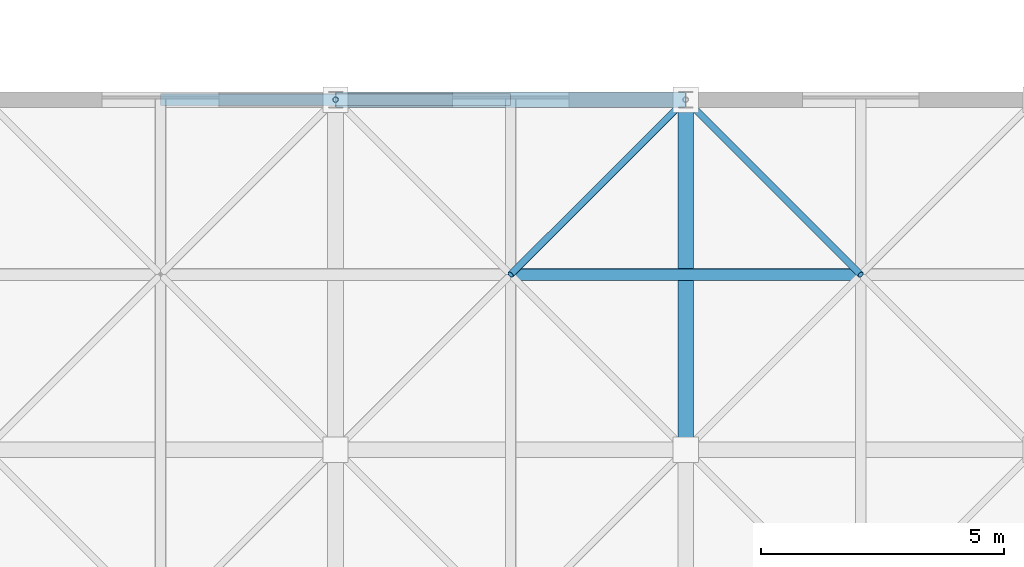
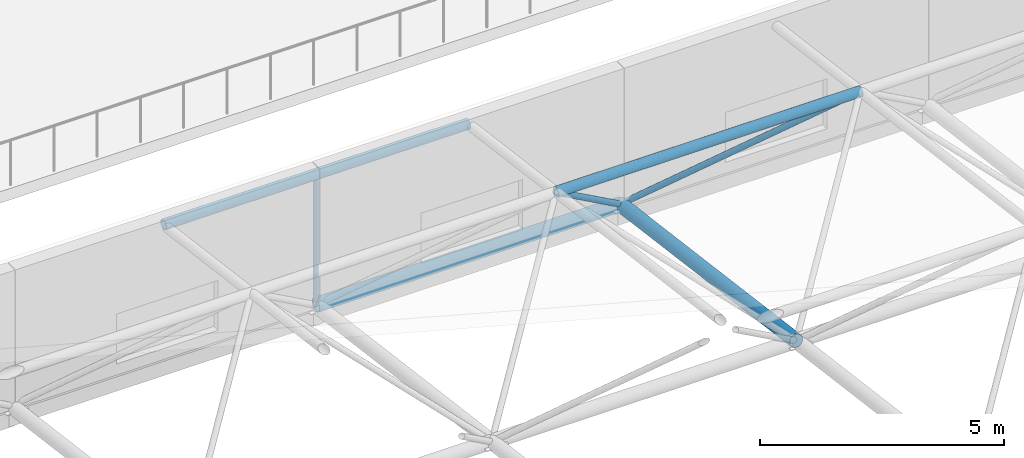
# One storey, part 58 of 103: 7 members.
"""IFC4 building model written with IfcOpenShell, lengths in metres."""

from ifc_helpers import new_model, si_unit, direction, frame, origin, origin_2d, place, context, subcontext, project, spatial, hollow_circle, extrude, material, material_profile, profile_set, type_object, element, save


model = new_model("IFC4")

# Units and contexts
model_context = context("Model", 3, precision=1e-05, world=origin(), true_north=direction((0.0, 1.0)))
body_context = subcontext(model_context, "Body", "Model", "MODEL_VIEW")
ifc_project = project(units=[si_unit("LENGTHUNIT", "METRE"), si_unit("AREAUNIT", "SQUARE_METRE"), si_unit("VOLUMEUNIT", "CUBIC_METRE"), si_unit("PLANEANGLEUNIT", "RADIAN"), si_unit("MASSUNIT", "GRAM", prefix="KILO")], contexts=[model_context])

# Site, building, storey
site_placement = place(None, origin())
site = spatial("IfcSite", under=ifc_project, at=site_placement, CompositionType="ELEMENT")
building_placement = place(site_placement, origin())
building = spatial("IfcBuilding", under=site, at=building_placement, Name="Thalmaran Polytechnic", CompositionType="ELEMENT")
storey_placement = place(building_placement, frame((0.0, 0.0, 14.39990234375)))
storey = spatial("IfcBuildingStorey", under=building, at=storey_placement, Name="L03", CompositionType="ELEMENT", Elevation=14.39990234375)

# Members
ifc_material = material(Name="Steel S355", Category="steel")
ifc_material_profile_1 = material_profile(ifc_material, hollow_circle(Radius=0.161865234375, WallThickness=0.012451171875, at=origin_2d()), Name="CHS 323.9x12.5")
ifc_profile_set_1 = profile_set([ifc_material_profile_1], Name="Steel S355")
member_type_1 = type_object("IfcMemberType", Name="MB-SFC0", PredefinedType="CHORD", material=ifc_profile_set_1)
member_1_placement = place(storey_placement, frame((136.800048828125, 50.39990234375, 0.380126953125), z_axis=(1.0, 0.0, 0.0), x_axis=(0.0, 1.0, 0.0)))
element("IfcMember", 1, at=member_1_placement, inside=storey, type_object=member_type_1, Name="Space-Frame Bottom Chord X (4,8)", PredefinedType="CHORD", context=body_context, shape_type="SweptSolid", body=[
    extrude(hollow_circle(Radius=0.161865234375, WallThickness=0.012451171875, at=origin_2d()), origin(), (0.0, 0.0, 1.0), 7.199951171875),
])
ifc_material_profile_2 = material_profile(ifc_material, hollow_circle(Radius=0.122314453125, WallThickness=0.010009765625, at=origin_2d()), Name="CHS 244.5x10.0")
ifc_profile_set_2 = profile_set([ifc_material_profile_2], Name="Steel S355")
member_type_2 = type_object("IfcMemberType", Name="MB-SFC1", PredefinedType="CHORD", material=ifc_profile_set_2)
member_2_placement = place(storey_placement, frame((133.199951171875, 50.39990234375, 3.650146484375), z_axis=(1.0, 0.0, 0.0), x_axis=(0.0, 1.0, 0.0)))
element("IfcMember", 2, at=member_2_placement, inside=storey, type_object=member_type_2, Name="Space-Frame Top Chord X (4,9)", PredefinedType="CHORD", context=body_context, shape_type="SweptSolid", body=[
    extrude(hollow_circle(Radius=0.122314453125, WallThickness=0.010009765625, at=origin_2d()), origin(), (0.0, 0.0, 1.0), 7.199951171875),
])
member_3_placement = place(storey_placement, frame((140.39990234375, 46.800048828125, 4.1240234375), z_axis=(1.0, 0.0, 0.0), x_axis=(0.0, 1.0, 0.0)))
element("IfcMember", 3, at=member_3_placement, inside=storey, type_object=member_type_2, Name="Space-Frame Top Chord X (5,8)", PredefinedType="CHORD", context=body_context, shape_type="SweptSolid", body=[
    extrude(hollow_circle(Radius=0.122314453125, WallThickness=0.010009765625, at=origin_2d()), origin(), (0.0, 0.0, 1.0), 7.2001953125),
])
ifc_material_profile_3 = material_profile(ifc_material, hollow_circle(Radius=0.161865234375, WallThickness=0.012451171875, at=origin_2d()), Name="CHS 323.9x12.5")
ifc_profile_set_3 = profile_set([ifc_material_profile_3], Name="Steel S355")
member_type_3 = type_object("IfcMemberType", Name="MB-SFC4", PredefinedType="CHORD", material=ifc_profile_set_3)
member_4_placement = place(storey_placement, frame((144.0, 43.199951171875, 1.327880859375), z_axis=(0.0, 0.991447314079, -0.130507560722), x_axis=(-1.0, 0.0, 0.0)))
element("IfcMember", 4, at=member_4_placement, inside=storey, type_object=member_type_3, Name="Space-Frame Bottom Chord Y (5,7)", PredefinedType="CHORD", context=body_context, shape_type="SweptSolid", body=[
    extrude(hollow_circle(Radius=0.161865234375, WallThickness=0.012451171875, at=origin_2d()), origin(), (0.0, 0.0, 1.0), 7.261962890625),
])
ifc_material_profile_4 = material_profile(ifc_material, hollow_circle(Radius=0.06982421875, WallThickness=0.008056640625, at=origin_2d()), Name="CHS 139.7x8.0")
ifc_profile_set_4 = profile_set([ifc_material_profile_4], Name="Steel S355")
member_type_4 = type_object("IfcMemberType", Name="MB-SFD2", PredefinedType="BRACE", material=ifc_profile_set_4)
for number, where, z_axis, x_axis, name in (
    (5, (144.0, 50.39990234375, 0.380126953125), (-0.569678427494, -0.569639794751, 0.592433113089), (0.707082803744, -0.707130757816, 0.0), "Space-Frame Web Diagonal (4,7)-4"),
    (6, (144.0, 50.39990234375, 0.380126953125), (0.569678427494, -0.569639794751, 0.592433113089), (0.707082803744, 0.707130757816, 0.0), "Space-Frame Web Diagonal (5,7)-3"),
):
    element("IfcMember", number, at=place(storey_placement, frame(where, z_axis=z_axis, x_axis=x_axis)), inside=storey, type_object=member_type_4, Name=name, PredefinedType="BRACE", context=body_context, shape_type="SweptSolid", body=[
        extrude(hollow_circle(Radius=0.06982421875, WallThickness=0.008056640625, at=origin_2d()), origin(), (0.0, 0.0, 1.0), 6.319580078125),
    ])
ifc_material_profile_5 = material_profile(ifc_material, hollow_circle(Radius=0.05712890625, WallThickness=0.00634765625, at=origin_2d()), Name="CHS 114.3x6.3")
ifc_profile_set_5 = profile_set([ifc_material_profile_5], Name="Steel S355")
member_type_5 = type_object("IfcMemberType", Name="MB-SFD3", PredefinedType="BRACE", material=ifc_profile_set_5)
member_5_placement = place(storey_placement, frame((136.800048828125, 50.39990234375, 0.380126953125), z_axis=(0.0, 0.0, 1.0), x_axis=(1.0, 0.0, 0.0)))
element("IfcMember", 7, at=member_5_placement, inside=storey, type_object=member_type_5, Name="Space-Frame Eave Post (4,8)", PredefinedType="BRACE", context=body_context, shape_type="SweptSolid", body=[
    extrude(hollow_circle(Radius=0.05712890625, WallThickness=0.00634765625, at=origin_2d()), origin(), (0.0, 0.0, 1.0), 3.27001953125),
])

save(model, "model.ifc")
